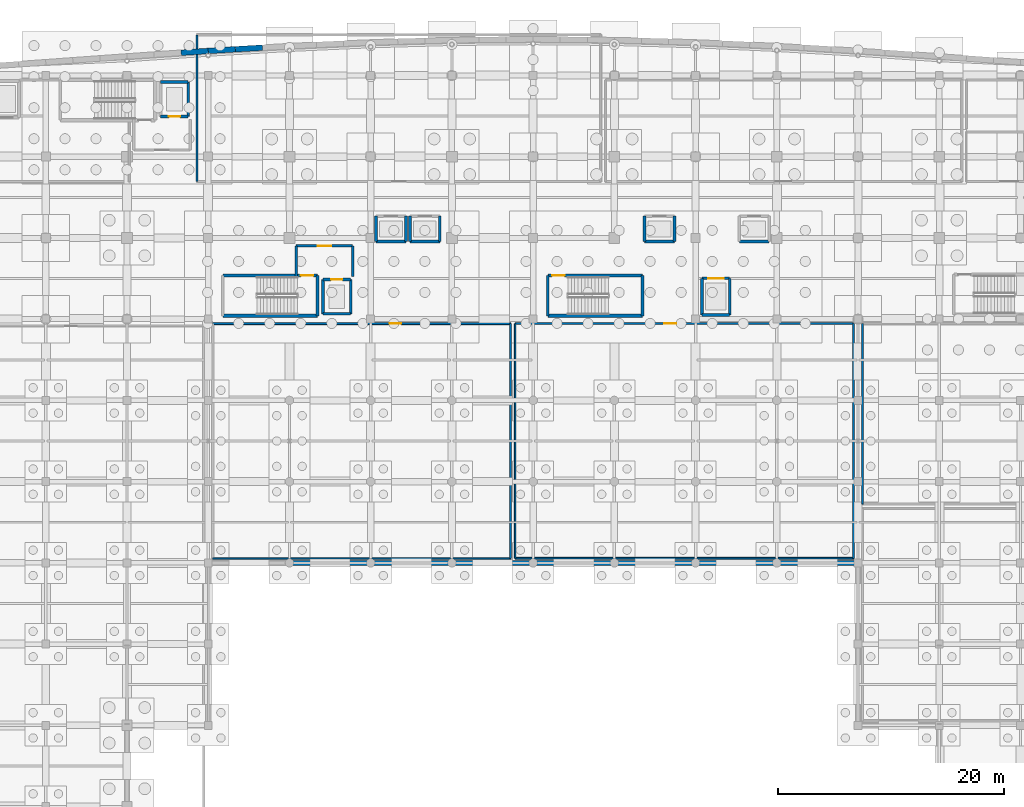
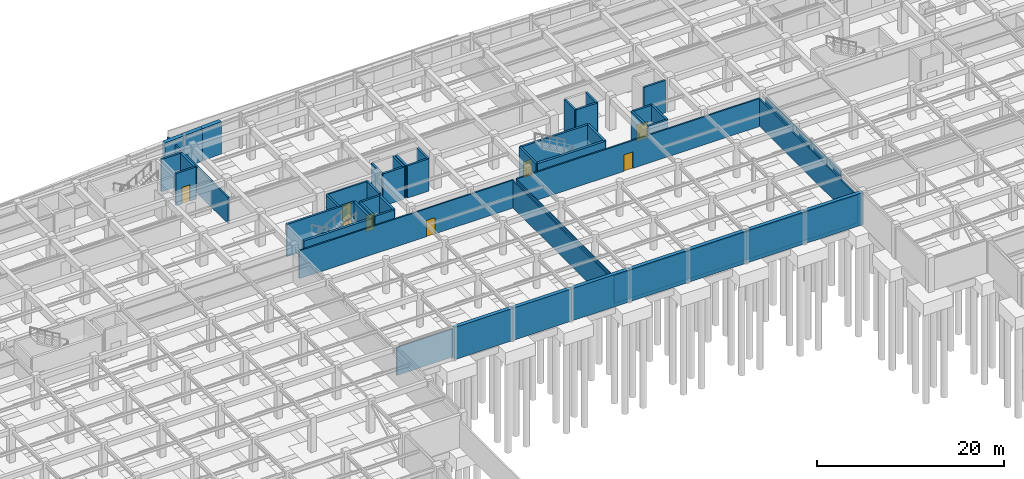
# One storey, part 37 of 48: 50 walls, 8 doors, 8 openings.
"""IFC4 building model written with IfcOpenShell, lengths in metres."""

from ifc_helpers import new_model, si_unit, direction, frame, frame_2d, origin, place, context, subcontext, project, spatial, rectangle, extrude, material, layer, layer_set, type_object, element, fill, save


model = new_model("IFC4")

# Units and contexts
model_context = context("Model", 3, precision=1e-05, world=origin(), true_north=direction((0.0, 1.0)))
body_context = subcontext(model_context, "Body", "Model", "MODEL_VIEW")
ifc_project = project(units=[si_unit("LENGTHUNIT", "METRE"), si_unit("AREAUNIT", "SQUARE_METRE"), si_unit("VOLUMEUNIT", "CUBIC_METRE"), si_unit("PLANEANGLEUNIT", "RADIAN"), si_unit("MASSUNIT", "GRAM", prefix="KILO")], contexts=[model_context])

# Site, building, storey
site_placement = place(None, origin())
site = spatial("IfcSite", under=ifc_project, at=site_placement, CompositionType="ELEMENT")
building_placement = place(site_placement, origin())
building = spatial("IfcBuilding", under=site, at=building_placement, Name="Carrowvane Square Congress Hotel", CompositionType="ELEMENT")
storey_placement = place(building_placement, frame((0.0, 0.0, -4.5)))
storey = spatial("IfcBuildingStorey", under=building, at=storey_placement, Name="B01", CompositionType="ELEMENT", Elevation=-4.5)

# Walls
ifc_material_1 = material(Name="Acoustic gypsum board", Category="gypsum")
ifc_layer_1 = layer(ifc_material_1, 0.155029296875)
ifc_layer_set_1 = layer_set([ifc_layer_1], Name="Acoustic gypsum board")
wall_type_1 = type_object("IfcWallType", Name="WL-FIR-155", PredefinedType="PARTITIONING", material=ifc_layer_set_1)
wall_1_placement = place(storey_placement, frame((96.0, 91.39990234375, 0.0), z_axis=(0.0, 0.0, 1.0), x_axis=(0.0, -1.0, 0.0)))
element("IfcWall", 1, at=wall_1_placement, inside=storey, type_object=wall_type_1, Name="B01 Secure Delegate and Staff Cycle Store partition", PredefinedType="PARTITIONING", context=body_context, shape_type="SweptSolid", body=[
    extrude(rectangle(XDim=20.7998046875, YDim=0.155029296875, at=frame_2d((10.39990234375, 0.0))), origin(), (0.0, 0.0, 1.0), 3.534912109375),
])
wall_2_placement = place(storey_placement, frame((126.39990234375, 70.60009765625, 0.0), z_axis=(0.0, 0.0, 1.0), x_axis=(-1.0, 0.0, 0.0)))
element("IfcWall", 2, at=wall_2_placement, inside=storey, type_object=wall_type_1, Name="B01 Central Hotel Linen and Laundry Hall partition", PredefinedType="PARTITIONING", context=body_context, shape_type="SweptSolid", body=[
    extrude(rectangle(XDim=30.0, YDim=0.155029296875, at=frame_2d((15.0, 0.0))), origin(), (0.0, 0.0, 1.0), 3.648193359375),
])
wall_3_placement = place(storey_placement, frame((127.199951171875, 75.39990234375, 0.0), z_axis=(0.0, 0.0, 1.0), x_axis=(0.0, 1.0, 0.0)))
element("IfcWall", 3, at=wall_3_placement, inside=storey, type_object=wall_type_1, Name="B01 LTHW Boiler and Thermal Storage Plant Room partition", PredefinedType="PARTITIONING", context=body_context, shape_type="SweptSolid", body=[
    extrude(rectangle(XDim=16.0, YDim=0.155029296875, at=frame_2d((8.0, 0.0))), origin(), (0.0, 0.0, 1.0), 3.534912109375),
])

# Wall, opening, door
ifc_material_2 = material(Name="Acoustic gypsum board", Category="gypsum")
ifc_layer_2 = layer(ifc_material_2, 0.169921875)
ifc_layer_set_2 = layer_set([ifc_layer_2], Name="Acoustic gypsum board")
wall_type_2 = type_object("IfcWallType", Name="WL-FIR-170", PredefinedType="PARTITIONING", material=ifc_layer_set_2)
wall_4_placement = place(storey_placement, frame((69.60009765625, 91.39990234375, 0.0), z_axis=(0.0, 0.0, 1.0), x_axis=(1.0, 0.0, 0.0)))
wall_4 = element("IfcWall", 4, at=wall_4_placement, inside=storey, type_object=wall_type_2, Name="B01 Secure Delegate and Staff Cycle Store partition", PredefinedType="PARTITIONING", context=body_context, shape_type="SweptSolid", body=[
    extrude(rectangle(XDim=26.39990234375, YDim=0.169921875, at=frame_2d((13.199951171875, 0.0))), origin(), (0.0, 0.0, 1.0), 3.648193359375),
])
opening_1_placement = place(wall_4_placement, frame((15.679931640625, 0.0, 0.0)))
opening_1 = element("IfcOpeningElement", 5, at=opening_1_placement, cuts=wall_4, Name="Opening ID-07", PredefinedType="OPENING", context=body_context, shape_type="SweptSolid", body=[
    extrude(rectangle(XDim=1.0400390625, YDim=2.1201171875, at=frame_2d((0.52001953125, 1.06005859375))), frame((0.0, 0.094970703125, 0.0), z_axis=(0.0, -1.0, 0.0), x_axis=(1.0, 0.0, 0.0)), (0.0, 0.0, 1.0), 0.18994140625),
])
ifc_material_3 = material(Name="European oak timber", Category="wood")
door_type_1 = type_object("IfcDoorType", Name="DR-INT-1040x2120", OperationType="NOTDEFINED", PredefinedType="DOOR", material=ifc_material_3)
door_1_placement = place(opening_1_placement, origin())
door_1 = element("IfcDoor", 6, at=door_1_placement, inside=storey, type_object=door_type_1, Name="B01 Secure Delegate and Staff Cycle Store entrance door", OperationType="SINGLE_SWING_LEFT", OverallHeight=2.1201171875, OverallWidth=1.0400390625, PredefinedType="DOOR", context=body_context, shape_type="SweptSolid", body=[
    extrude(rectangle(XDim=1.0400390625, YDim=2.1201171875, at=frame_2d((0.52001953125, 1.06005859375))), frame((0.0, 0.02490234375, 0.0), z_axis=(0.0, -1.0, 0.0), x_axis=(1.0, 0.0, 0.0)), (0.0, 0.0, 1.0), 0.050048828125),
])
fill(opening_1, door_1)

# Wall
wall_5_placement = place(storey_placement, frame((126.39990234375, 91.39990234375, 0.0), z_axis=(0.0, 0.0, 1.0), x_axis=(0.0, -1.0, 0.0)))
element("IfcWall", 7, at=wall_5_placement, inside=storey, type_object=wall_type_2, Name="B01 Central Hotel Linen and Laundry Hall partition", PredefinedType="PARTITIONING", context=body_context, shape_type="SweptSolid", body=[
    extrude(rectangle(XDim=20.7998046875, YDim=0.169921875, at=frame_2d((10.39990234375, 0.0))), origin(), (0.0, 0.0, 1.0), 3.534912109375),
])

# Wall, opening, door
ifc_material_4 = material(Name="Acoustic gypsum board", Category="gypsum")
ifc_layer_3 = layer(ifc_material_4, 0.18505859375)
ifc_layer_set_3 = layer_set([ifc_layer_3], Name="Acoustic gypsum board")
wall_type_3 = type_object("IfcWallType", Name="WL-FIR-185", PredefinedType="PARTITIONING", material=ifc_layer_set_3)
wall_6_placement = place(storey_placement, frame((96.39990234375, 91.39990234375, 0.0), z_axis=(0.0, 0.0, 1.0), x_axis=(1.0, 0.0, 0.0)))
wall_6 = element("IfcWall", 8, at=wall_6_placement, inside=storey, type_object=wall_type_3, Name="B01 Central Hotel Linen and Laundry Hall partition", PredefinedType="PARTITIONING", context=body_context, shape_type="SweptSolid", body=[
    extrude(rectangle(XDim=30.0, YDim=0.18505859375, at=frame_2d((15.0, 0.0))), origin(), (0.0, 0.0, 1.0), 3.648193359375),
])
opening_2_placement = place(wall_6_placement, frame((13.2099609375, 0.0, 0.0)))
opening_2 = element("IfcOpeningElement", 9, at=opening_2_placement, cuts=wall_6, Name="Opening ID-08", PredefinedType="OPENING", context=body_context, shape_type="SweptSolid", body=[
    extrude(rectangle(XDim=1.080078125, YDim=2.14990234375, at=frame_2d((0.5400390625, 1.074951171875))), frame((0.0, 0.1025390625, 0.0), z_axis=(0.0, -1.0, 0.0), x_axis=(1.0, 0.0, 0.0)), (0.0, 0.0, 1.0), 0.205078125),
])
ifc_material_5 = material(Name="European oak timber", Category="wood")
door_type_2 = type_object("IfcDoorType", Name="DR-INT-1080x2150", OperationType="NOTDEFINED", PredefinedType="DOOR", material=ifc_material_5)
door_2_placement = place(opening_2_placement, origin())
door_2 = element("IfcDoor", 10, at=door_2_placement, inside=storey, type_object=door_type_2, Name="B01 Central Hotel Linen and Laundry Hall entrance door", OperationType="SINGLE_SWING_RIGHT", OverallHeight=2.14990234375, OverallWidth=1.080078125, PredefinedType="DOOR", context=body_context, shape_type="SweptSolid", body=[
    extrude(rectangle(XDim=1.080078125, YDim=2.14990234375, at=frame_2d((0.5400390625, 1.074951171875))), frame((0.0, 0.02490234375, 0.0), z_axis=(0.0, -1.0, 0.0), x_axis=(1.0, 0.0, 0.0)), (0.0, 0.0, 1.0), 0.050048828125),
])
fill(opening_2, door_2)

# Walls
wall_7_placement = place(storey_placement, frame((68.199951171875, 104.0, 0.0), z_axis=(0.0, 0.0, 1.0), x_axis=(0.0, 1.0, 0.0)))
element("IfcWall", 11, at=wall_7_placement, inside=storey, type_object=wall_type_3, Name="B01 Central Cold Prep and Bonded Store partition", PredefinedType="PARTITIONING", context=body_context, shape_type="SweptSolid", body=[
    extrude(rectangle(XDim=13.0, YDim=0.18505859375, at=frame_2d((6.5, 0.0))), origin(), (0.0, 0.0, 1.0), 3.43505859375),
])
ifc_material_6 = material(Name="Acoustic gypsum board", Category="gypsum")
ifc_layer_4 = layer(ifc_material_6, 0.205078125)
ifc_layer_set_4 = layer_set([ifc_layer_4], Name="Acoustic gypsum board")
wall_type_4 = type_object("IfcWallType", Name="WL-FIR-205", PredefinedType="PARTITIONING", material=ifc_layer_set_4)
wall_8_placement = place(storey_placement, frame((82.0, 95.60009765625, 0.0), z_axis=(0.0, 0.0, 1.0), x_axis=(0.0, 1.0, 0.0)))
element("IfcWall", 12, at=wall_8_placement, inside=storey, type_object=wall_type_4, Name="B01 Firefighting Lobby C2 wall east", PredefinedType="PARTITIONING", context=body_context, shape_type="SweptSolid", body=[
    extrude(rectangle(XDim=2.699951171875, YDim=0.205078125, at=frame_2d((1.35009765625, 0.0))), origin(), (0.0, 0.0, 1.0), 4.199951171875),
])

# Wall, opening, door
wall_9_placement = place(storey_placement, frame((82.0, 98.300048828125, 0.0), z_axis=(0.0, 0.0, 1.0), x_axis=(-1.0, 0.0, 0.0)))
wall_9 = element("IfcWall", 13, at=wall_9_placement, inside=storey, type_object=wall_type_4, Name="B01 Firefighting Lobby C2 wall north", PredefinedType="PARTITIONING", context=body_context, shape_type="SweptSolid", body=[
    extrude(rectangle(XDim=5.0, YDim=0.205078125, at=frame_2d((2.5, 0.0))), origin(), (0.0, 0.0, 1.0), 4.199951171875),
])
opening_3_placement = place(wall_9_placement, frame((1.89990234375, 0.0, 0.0)))
opening_3 = element("IfcOpeningElement", 14, at=opening_3_placement, cuts=wall_9, Name="Opening FD-02", PredefinedType="OPENING", context=body_context, shape_type="SweptSolid", body=[
    extrude(rectangle(XDim=1.199951171875, YDim=2.10009765625, at=frame_2d((0.60009765625, 1.050048828125))), frame((0.0, 0.112548828125, 0.0), z_axis=(0.0, -1.0, 0.0), x_axis=(1.0, 0.0, 0.0)), (0.0, 0.0, 1.0), 0.22509765625),
])
ifc_material_7 = material(Name="European oak timber", Category="wood")
door_type_3 = type_object("IfcDoorType", Name="DR-FD60-1200x2100", OperationType="NOTDEFINED", PredefinedType="DOOR", material=ifc_material_7)
door_3_placement = place(opening_3_placement, origin())
door_3 = element("IfcDoor", 15, at=door_3_placement, inside=storey, type_object=door_type_3, Name="B01 Firefighting Lobby C2 entrance door", OperationType="SINGLE_SWING_LEFT", OverallHeight=2.10009765625, OverallWidth=1.199951171875, PredefinedType="DOOR", context=body_context, shape_type="SweptSolid", body=[
    extrude(rectangle(XDim=1.199951171875, YDim=2.10009765625, at=frame_2d((0.60009765625, 1.050048828125))), frame((0.0, 0.02490234375, 0.0), z_axis=(0.0, -1.0, 0.0), x_axis=(1.0, 0.0, 0.0)), (0.0, 0.0, 1.0), 0.050048828125),
])
fill(opening_3, door_3)

# Walls
wall_10_placement = place(storey_placement, frame((77.0, 98.300048828125, 0.0), z_axis=(0.0, 0.0, 1.0), x_axis=(0.0, -1.0, 0.0)))
element("IfcWall", 16, at=wall_10_placement, inside=storey, type_object=wall_type_4, Name="B01 Firefighting Lobby C2 wall west", PredefinedType="PARTITIONING", context=body_context, shape_type="SweptSolid", body=[
    extrude(rectangle(XDim=2.699951171875, YDim=0.205078125, at=frame_2d((1.35009765625, 0.0))), origin(), (0.0, 0.0, 1.0), 4.199951171875),
])
ifc_material_8 = material(Name="Acoustic gypsum board", Category="gypsum")
ifc_layer_5 = layer(ifc_material_8, 0.137939453125)
ifc_layer_set_5 = layer_set([ifc_layer_5], Name="Acoustic gypsum board")
wall_type_5 = type_object("IfcWallType", Name="WL-PRT-138", PredefinedType="PARTITIONING", material=ifc_layer_set_5)
wall_11_placement = place(storey_placement, frame((96.39990234375, 70.60009765625, 0.0), z_axis=(0.0, 0.0, 1.0), x_axis=(0.0, 1.0, 0.0)))
element("IfcWall", 17, at=wall_11_placement, inside=storey, type_object=wall_type_5, Name="B01 Central Hotel Linen and Laundry Hall partition", PredefinedType="PARTITIONING", context=body_context, shape_type="SweptSolid", body=[
    extrude(rectangle(XDim=20.7998046875, YDim=0.137939453125, at=frame_2d((10.39990234375, 0.0))), origin(), (0.0, 0.0, 1.0), 3.534912109375),
])
ifc_material_9 = material(Name="Acoustic gypsum board", Category="gypsum")
ifc_layer_6 = layer(ifc_material_9, 0.14794921875)
ifc_layer_set_6 = layer_set([ifc_layer_6], Name="Acoustic gypsum board")
wall_type_6 = type_object("IfcWallType", Name="WL-PRT-148", PredefinedType="PARTITIONING", material=ifc_layer_set_6)
wall_12_placement = place(storey_placement, frame((96.0, 70.60009765625, 0.0), z_axis=(0.0, 0.0, 1.0), x_axis=(-1.0, 0.0, 0.0)))
element("IfcWall", 18, at=wall_12_placement, inside=storey, type_object=wall_type_6, Name="B01 Secure Delegate and Staff Cycle Store partition", PredefinedType="PARTITIONING", context=body_context, shape_type="SweptSolid", body=[
    extrude(rectangle(XDim=26.39990234375, YDim=0.14794921875, at=frame_2d((13.199951171875, 0.0))), origin(), (0.0, 0.0, 1.0), 3.648193359375),
])
ifc_material_10 = material(Name="Concrete C35/45", Category="concrete")
ifc_layer_7 = layer(ifc_material_10, 0.449951171875)
ifc_layer_set_7 = layer_set([ifc_layer_7], Name="Concrete C35/45")
wall_type_7 = type_object("IfcWallType", Name="WL-RET-450", PredefinedType="SOLIDWALL", material=ifc_layer_set_7)
wall_13_placement = place(storey_placement, frame((126.800048828125, 70.199951171875, 0.0), z_axis=(0.0, 0.0, 1.0), x_axis=(-1.0, 0.0, 0.0)))
element("IfcWall", 19, at=wall_13_placement, inside=storey, type_object=wall_type_7, Name="B01 perimeter retaining wall 108", PredefinedType="SOLIDWALL", context=body_context, shape_type="SweptSolid", body=[
    extrude(rectangle(XDim=7.199951171875, YDim=0.449951171875, at=frame_2d((3.60009765625, 0.0))), origin(), (0.0, 0.0, 1.0), 4.199951171875),
])
wall_14_placement = place(storey_placement, frame((119.60009765625, 70.199951171875, 0.0), z_axis=(0.0, 0.0, 1.0), x_axis=(-1.0, 0.0, 0.0)))
element("IfcWall", 20, at=wall_14_placement, inside=storey, type_object=wall_type_7, Name="B01 perimeter retaining wall 109", PredefinedType="SOLIDWALL", context=body_context, shape_type="SweptSolid", body=[
    extrude(rectangle(XDim=7.2001953125, YDim=0.449951171875, at=frame_2d((3.60009765625, 0.0))), origin(), (0.0, 0.0, 1.0), 4.199951171875),
])
for number, where, z_axis, x_axis, name in (
    (21, (112.39990234375, 70.199951171875, 0.0), (0.0, 0.0, 1.0), (-1.0, 0.0, 0.0), "B01 perimeter retaining wall 110"),
    (22, (105.199951171875, 70.199951171875, 0.0), (0.0, 0.0, 1.0), (-1.0, 0.0, 0.0), "B01 perimeter retaining wall 111"),
    (23, (98.0, 70.199951171875, 0.0), (0.0, 0.0, 1.0), (-1.0, 0.0, 0.0), "B01 perimeter retaining wall 112"),
    (24, (90.800048828125, 70.199951171875, 0.0), (0.0, 0.0, 1.0), (-1.0, 0.0, 0.0), "B01 perimeter retaining wall 113"),
):
    element("IfcWall", number, at=place(storey_placement, frame(where, z_axis=z_axis, x_axis=x_axis)), inside=storey, type_object=wall_type_7, Name=name, PredefinedType="SOLIDWALL", context=body_context, shape_type="SweptSolid", body=[
        extrude(rectangle(XDim=7.199951171875, YDim=0.449951171875, at=frame_2d((3.60009765625, 0.0))), origin(), (0.0, 0.0, 1.0), 4.199951171875),
    ])
wall_15_placement = place(storey_placement, frame((83.60009765625, 70.199951171875, 0.0), z_axis=(0.0, 0.0, 1.0), x_axis=(-1.0, 0.0, 0.0)))
element("IfcWall", 25, at=wall_15_placement, inside=storey, type_object=wall_type_7, Name="B01 perimeter retaining wall 114", PredefinedType="SOLIDWALL", context=body_context, shape_type="SweptSolid", body=[
    extrude(rectangle(XDim=7.2001953125, YDim=0.449951171875, at=frame_2d((3.60009765625, 0.0))), origin(), (0.0, 0.0, 1.0), 4.199951171875),
])
ifc_material_11 = material(Name="Concrete C35/45", Category="concrete")
ifc_layer_8 = layer(ifc_material_11, 0.5)
ifc_layer_set_8 = layer_set([ifc_layer_8], Name="Concrete C35/45")
wall_type_8 = type_object("IfcWallType", Name="WL-RET-500", PredefinedType="SOLIDWALL", material=ifc_layer_set_8)
wall_16_placement = place(storey_placement, frame((66.800048828125, 115.4169921875, 0.0), z_axis=(0.0, 0.0, 1.0), x_axis=(0.99786085888, 0.065373590348, 0.0)))
element("IfcWall", 26, at=wall_16_placement, inside=storey, type_object=wall_type_8, Name="B01 perimeter retaining wall 33", PredefinedType="SOLIDWALL", context=body_context, shape_type="SweptSolid", body=[
    extrude(rectangle(XDim=2.405029296875, YDim=0.5, at=frame_2d((1.20263671875, 0.0))), origin(), (0.0, 0.0, 1.0), 4.199951171875),
])
wall_17_placement = place(storey_placement, frame((69.199951171875, 115.57421875, 0.0), z_axis=(0.0, 0.0, 1.0), x_axis=(0.998049021666, 0.062435169192, 0.0)))
element("IfcWall", 27, at=wall_17_placement, inside=storey, type_object=wall_type_8, Name="B01 perimeter retaining wall 34", PredefinedType="SOLIDWALL", context=body_context, shape_type="SweptSolid", body=[
    extrude(rectangle(XDim=2.40478515625, YDim=0.5, at=frame_2d((1.202392578125, 0.0))), origin(), (0.0, 0.0, 1.0), 4.199951171875),
])
wall_18_placement = place(storey_placement, frame((71.60009765625, 115.724365234375, 0.0), z_axis=(0.0, 0.0, 1.0), x_axis=(0.998269817782, 0.058799412461, 0.0)))
element("IfcWall", 28, at=wall_18_placement, inside=storey, type_object=wall_type_8, Name="B01 perimeter retaining wall 35", PredefinedType="SOLIDWALL", context=body_context, shape_type="SweptSolid", body=[
    extrude(rectangle(XDim=2.404052734375, YDim=0.5, at=frame_2d((1.2021484375, 0.0))), origin(), (0.0, 0.0, 1.0), 4.199951171875),
])
ifc_material_12 = material(Name="Concrete C40/50", Category="concrete")
ifc_layer_9 = layer(ifc_material_12, 0.22509765625)
ifc_layer_set_9 = layer_set([ifc_layer_9], Name="Concrete C40/50")
wall_type_9 = type_object("IfcWallType", Name="WL-SHR-225", PredefinedType="SHEAR", material=ifc_layer_set_9)
wall_19_placement = place(storey_placement, frame((99.300048828125, 95.659912109375, 0.0), z_axis=(0.0, 0.0, 1.0), x_axis=(0.0, -1.0, 0.0)))
element("IfcWall", 29, at=wall_19_placement, inside=storey, type_object=wall_type_9, Name="B01 ST3 core wall west", PredefinedType="SHEAR", context=body_context, shape_type="SweptSolid", body=[
    extrude(rectangle(XDim=3.559814453125, YDim=0.22509765625, at=frame_2d((1.77978515625, 0.0))), origin(), (0.0, 0.0, 1.0), 4.199951171875),
])

# Wall, opening, door
ifc_material_13 = material(Name="Concrete C40/50", Category="concrete")
ifc_layer_10 = layer(ifc_material_13, 0.25)
ifc_layer_set_10 = layer_set([ifc_layer_10], Name="Concrete C40/50")
wall_type_10 = type_object("IfcWallType", Name="WL-SHR-250", PredefinedType="SHEAR", material=ifc_layer_set_10)
wall_20_placement = place(storey_placement, frame((78.89990234375, 95.659912109375, 0.0), z_axis=(0.0, 0.0, 1.0), x_axis=(-1.0, 0.0, 0.0)))
wall_20 = element("IfcWall", 30, at=wall_20_placement, inside=storey, type_object=wall_type_10, Name="B01 ST2 core wall north", PredefinedType="SHEAR", context=body_context, shape_type="SweptSolid", body=[
    extrude(rectangle(XDim=8.39990234375, YDim=0.25, at=frame_2d((4.199951171875, 0.0))), origin(), (0.0, 0.0, 1.0), 4.199951171875),
])
opening_4_placement = place(wall_20_placement, frame((0.389892578125, 0.0, 0.0)))
opening_4 = element("IfcOpeningElement", 31, at=opening_4_placement, cuts=wall_20, Name="Opening FD-01", PredefinedType="OPENING", context=body_context, shape_type="SweptSolid", body=[
    extrude(rectangle(XDim=1.10009765625, YDim=2.10009765625, at=frame_2d((0.550048828125, 1.050048828125))), frame((0.0, 0.135009765625, 0.0), z_axis=(0.0, -1.0, 0.0), x_axis=(1.0, 0.0, 0.0)), (0.0, 0.0, 1.0), 0.27001953125),
])
ifc_material_14 = material(Name="European oak timber", Category="wood")
door_type_4 = type_object("IfcDoorType", Name="DR-FD60-1100x2100", OperationType="NOTDEFINED", PredefinedType="DOOR", material=ifc_material_14)
door_4_placement = place(opening_4_placement, origin())
door_4 = element("IfcDoor", 32, at=door_4_placement, inside=storey, type_object=door_type_4, Name="B01 ST2 fire door", OperationType="SINGLE_SWING_RIGHT", OverallHeight=2.10009765625, OverallWidth=1.10009765625, PredefinedType="DOOR", context=body_context, shape_type="SweptSolid", body=[
    extrude(rectangle(XDim=1.10009765625, YDim=2.10009765625, at=frame_2d((0.550048828125, 1.050048828125))), frame((0.0, 0.02490234375, 0.0), z_axis=(0.0, -1.0, 0.0), x_axis=(1.0, 0.0, 0.0)), (0.0, 0.0, 1.0), 0.050048828125),
])
fill(opening_4, door_4)

wall_21_placement = place(storey_placement, frame((107.699951171875, 95.659912109375, 0.0), z_axis=(0.0, 0.0, 1.0), x_axis=(-1.0, 0.0, 0.0)))
wall_21 = element("IfcWall", 33, at=wall_21_placement, inside=storey, type_object=wall_type_10, Name="B01 ST3 core wall north", PredefinedType="SHEAR", context=body_context, shape_type="SweptSolid", body=[
    extrude(rectangle(XDim=8.39990234375, YDim=0.25, at=frame_2d((4.199951171875, 0.0))), origin(), (0.0, 0.0, 1.0), 4.199951171875),
])
opening_5_placement = place(wall_21_placement, frame((6.909912109375, 0.0, 0.0)))
opening_5 = element("IfcOpeningElement", 34, at=opening_5_placement, cuts=wall_21, Name="Opening FD-01", PredefinedType="OPENING", context=body_context, shape_type="SweptSolid", body=[
    extrude(rectangle(XDim=1.10009765625, YDim=2.10009765625, at=frame_2d((0.550048828125, 1.050048828125))), frame((0.0, 0.135009765625, 0.0), z_axis=(0.0, -1.0, 0.0), x_axis=(1.0, 0.0, 0.0)), (0.0, 0.0, 1.0), 0.27001953125),
])
door_5_placement = place(opening_5_placement, origin())
door_5 = element("IfcDoor", 35, at=door_5_placement, inside=storey, type_object=door_type_4, Name="B01 ST3 fire door", OperationType="SINGLE_SWING_LEFT", OverallHeight=2.10009765625, OverallWidth=1.10009765625, PredefinedType="DOOR", context=body_context, shape_type="SweptSolid", body=[
    extrude(rectangle(XDim=1.10009765625, YDim=2.10009765625, at=frame_2d((0.550048828125, 1.050048828125))), frame((0.0, 0.02490234375, 0.0), z_axis=(0.0, -1.0, 0.0), x_axis=(1.0, 0.0, 0.0)), (0.0, 0.0, 1.0), 0.050048828125),
])
fill(opening_5, door_5)

wall_22_placement = place(storey_placement, frame((64.97509765625, 109.77490234375, 0.0), z_axis=(0.0, 0.0, 1.0), x_axis=(1.0, 0.0, 0.0)))
wall_22 = element("IfcWall", 36, at=wall_22_placement, inside=storey, type_object=wall_type_10, Name="B01 FFL-1 shaft wall south", PredefinedType="SHEAR", context=body_context, shape_type="SweptSolid", body=[
    extrude(rectangle(XDim=2.449951171875, YDim=0.25, at=frame_2d((1.22509765625, 0.0))), origin(), (0.0, 0.0, 1.0), 4.199951171875),
])
opening_6_placement = place(wall_22_placement, frame((0.72509765625, 0.0, 0.0)))
opening_6 = element("IfcOpeningElement", 37, at=opening_6_placement, cuts=wall_22, Name="Opening LD-FFL-1", PredefinedType="OPENING", context=body_context, shape_type="SweptSolid", body=[
    extrude(rectangle(XDim=1.0, YDim=2.14990234375, at=frame_2d((0.5, 1.074951171875))), frame((0.0, 0.135009765625, 0.0), z_axis=(0.0, -1.0, 0.0), x_axis=(1.0, 0.0, 0.0)), (0.0, 0.0, 1.0), 0.27001953125),
])
ifc_material_15 = material(Name="Stainless steel 316", Category="steel")
door_type_5 = type_object("IfcDoorType", Name="DR-LD-1000x2150", OperationType="DOUBLE_DOOR_SLIDING", PredefinedType="DOOR", material=ifc_material_15)
door_6_placement = place(opening_6_placement, origin())
door_6 = element("IfcDoor", 38, at=door_6_placement, inside=storey, type_object=door_type_5, Name="B01 FFL-1 sliding lift landing door", OperationType="DOUBLE_DOOR_SLIDING", OverallHeight=2.14990234375, OverallWidth=1.0, PredefinedType="DOOR", context=body_context, shape_type="SweptSolid", body=[
    extrude(rectangle(XDim=1.0, YDim=2.14990234375, at=frame_2d((0.5, 1.074951171875))), frame((0.0, 0.02490234375, 0.0), z_axis=(0.0, -1.0, 0.0), x_axis=(1.0, 0.0, 0.0)), (0.0, 0.0, 1.0), 0.050048828125),
])
fill(opening_6, door_6)

# Walls
wall_23_placement = place(storey_placement, frame((67.425048828125, 109.77490234375, 0.0), z_axis=(0.0, 0.0, 1.0), x_axis=(0.0, 1.0, 0.0)))
element("IfcWall", 39, at=wall_23_placement, inside=storey, type_object=wall_type_10, Name="B01 FFL-1 shaft wall east", PredefinedType="SHEAR", context=body_context, shape_type="SweptSolid", body=[
    extrude(rectangle(XDim=3.050048828125, YDim=0.25, at=frame_2d((1.52490234375, 0.0))), origin(), (0.0, 0.0, 1.0), 4.199951171875),
])
for number, where, z_axis, x_axis, name in (
    (40, (67.425048828125, 112.824951171875, 0.0), (0.0, 0.0, 1.0), (-1.0, 0.0, 0.0), "B01 FFL-1 shaft wall north"),
    (41, (79.375, 92.27490234375, 0.0), (0.0, 0.0, 1.0), (1.0, 0.0, 0.0), "B01 FFL-2 shaft wall south"),
):
    element("IfcWall", number, at=place(storey_placement, frame(where, z_axis=z_axis, x_axis=x_axis)), inside=storey, type_object=wall_type_10, Name=name, PredefinedType="SHEAR", context=body_context, shape_type="SweptSolid", body=[
        extrude(rectangle(XDim=2.449951171875, YDim=0.25, at=frame_2d((1.22509765625, 0.0))), origin(), (0.0, 0.0, 1.0), 4.199951171875),
    ])
wall_24_placement = place(storey_placement, frame((81.824951171875, 92.27490234375, 0.0), z_axis=(0.0, 0.0, 1.0), x_axis=(0.0, 1.0, 0.0)))
element("IfcWall", 42, at=wall_24_placement, inside=storey, type_object=wall_type_10, Name="B01 FFL-2 shaft wall east", PredefinedType="SHEAR", context=body_context, shape_type="SweptSolid", body=[
    extrude(rectangle(XDim=3.050048828125, YDim=0.25, at=frame_2d((1.52490234375, 0.0))), origin(), (0.0, 0.0, 1.0), 4.199951171875),
])

# Wall, opening, door
wall_25_placement = place(storey_placement, frame((81.824951171875, 95.324951171875, 0.0), z_axis=(0.0, 0.0, 1.0), x_axis=(-1.0, 0.0, 0.0)))
wall_25 = element("IfcWall", 43, at=wall_25_placement, inside=storey, type_object=wall_type_10, Name="B01 FFL-2 shaft wall north", PredefinedType="SHEAR", context=body_context, shape_type="SweptSolid", body=[
    extrude(rectangle(XDim=2.449951171875, YDim=0.25, at=frame_2d((1.22509765625, 0.0))), origin(), (0.0, 0.0, 1.0), 4.199951171875),
])
opening_7_placement = place(wall_25_placement, frame((0.72509765625, 0.0, 0.0)))
opening_7 = element("IfcOpeningElement", 44, at=opening_7_placement, cuts=wall_25, Name="Opening LD-FFL-2", PredefinedType="OPENING", context=body_context, shape_type="SweptSolid", body=[
    extrude(rectangle(XDim=1.0, YDim=2.14990234375, at=frame_2d((0.5, 1.074951171875))), frame((0.0, 0.135009765625, 0.0), z_axis=(0.0, -1.0, 0.0), x_axis=(1.0, 0.0, 0.0)), (0.0, 0.0, 1.0), 0.27001953125),
])
door_7_placement = place(opening_7_placement, origin())
door_7 = element("IfcDoor", 45, at=door_7_placement, inside=storey, type_object=door_type_5, Name="B01 FFL-2 sliding lift landing door", OperationType="DOUBLE_DOOR_SLIDING", OverallHeight=2.14990234375, OverallWidth=1.0, PredefinedType="DOOR", context=body_context, shape_type="SweptSolid", body=[
    extrude(rectangle(XDim=1.0, YDim=2.14990234375, at=frame_2d((0.5, 1.074951171875))), frame((0.0, 0.02490234375, 0.0), z_axis=(0.0, -1.0, 0.0), x_axis=(1.0, 0.0, 0.0)), (0.0, 0.0, 1.0), 0.050048828125),
])
fill(opening_7, door_7)

# Walls
wall_26_placement = place(storey_placement, frame((79.375, 95.324951171875, 0.0), z_axis=(0.0, 0.0, 1.0), x_axis=(0.0, -1.0, 0.0)))
element("IfcWall", 46, at=wall_26_placement, inside=storey, type_object=wall_type_10, Name="B01 FFL-2 shaft wall west", PredefinedType="SHEAR", context=body_context, shape_type="SweptSolid", body=[
    extrude(rectangle(XDim=3.050048828125, YDim=0.25, at=frame_2d((1.52490234375, 0.0))), origin(), (0.0, 0.0, 1.0), 4.199951171875),
])
wall_27_placement = place(storey_placement, frame((84.074951171875, 98.675048828125, 0.0), z_axis=(0.0, 0.0, 1.0), x_axis=(1.0, 0.0, 0.0)))
element("IfcWall", 47, at=wall_27_placement, inside=storey, type_object=wall_type_10, Name="B01 HL-1 shaft wall south", PredefinedType="SHEAR", context=body_context, shape_type="SweptSolid", body=[
    extrude(rectangle(XDim=2.650146484375, YDim=0.25, at=frame_2d((1.3251953125, 0.0))), origin(), (0.0, 0.0, 1.0), 4.199951171875),
])
for number, where, z_axis, x_axis, name in (
    (48, (86.72509765625, 98.675048828125, 0.0), (0.0, 0.0, 1.0), (0.0, 1.0, 0.0), "B01 HL-1 shaft wall east"),
    (49, (84.074951171875, 100.925048828125, 0.0), (0.0, 0.0, 1.0), (0.0, -1.0, 0.0), "B01 HL-1 shaft wall west"),
):
    element("IfcWall", number, at=place(storey_placement, frame(where, z_axis=z_axis, x_axis=x_axis)), inside=storey, type_object=wall_type_10, Name=name, PredefinedType="SHEAR", context=body_context, shape_type="SweptSolid", body=[
        extrude(rectangle(XDim=2.25, YDim=0.25, at=frame_2d((1.125, 0.0))), origin(), (0.0, 0.0, 1.0), 4.199951171875),
    ])
wall_28_placement = place(storey_placement, frame((87.074951171875, 98.675048828125, 0.0), z_axis=(0.0, 0.0, 1.0), x_axis=(1.0, 0.0, 0.0)))
element("IfcWall", 50, at=wall_28_placement, inside=storey, type_object=wall_type_10, Name="B01 HL-2 shaft wall south", PredefinedType="SHEAR", context=body_context, shape_type="SweptSolid", body=[
    extrude(rectangle(XDim=2.650146484375, YDim=0.25, at=frame_2d((1.3251953125, 0.0))), origin(), (0.0, 0.0, 1.0), 4.199951171875),
])
for number, where, z_axis, x_axis, name in (
    (51, (89.72509765625, 98.675048828125, 0.0), (0.0, 0.0, 1.0), (0.0, 1.0, 0.0), "B01 HL-2 shaft wall east"),
    (52, (87.074951171875, 100.925048828125, 0.0), (0.0, 0.0, 1.0), (0.0, -1.0, 0.0), "B01 HL-2 shaft wall west"),
):
    element("IfcWall", number, at=place(storey_placement, frame(where, z_axis=z_axis, x_axis=x_axis)), inside=storey, type_object=wall_type_10, Name=name, PredefinedType="SHEAR", context=body_context, shape_type="SweptSolid", body=[
        extrude(rectangle(XDim=2.25, YDim=0.25, at=frame_2d((1.125, 0.0))), origin(), (0.0, 0.0, 1.0), 4.199951171875),
    ])
wall_29_placement = place(storey_placement, frame((107.875, 98.675048828125, 0.0), z_axis=(0.0, 0.0, 1.0), x_axis=(1.0, 0.0, 0.0)))
element("IfcWall", 53, at=wall_29_placement, inside=storey, type_object=wall_type_10, Name="B01 HL-3 shaft wall south", PredefinedType="SHEAR", context=body_context, shape_type="SweptSolid", body=[
    extrude(rectangle(XDim=2.64990234375, YDim=0.25, at=frame_2d((1.324951171875, 0.0))), origin(), (0.0, 0.0, 1.0), 4.199951171875),
])
for number, where, z_axis, x_axis, name in (
    (54, (110.52490234375, 98.675048828125, 0.0), (0.0, 0.0, 1.0), (0.0, 1.0, 0.0), "B01 HL-3 shaft wall east"),
    (55, (107.875, 100.925048828125, 0.0), (0.0, 0.0, 1.0), (0.0, -1.0, 0.0), "B01 HL-3 shaft wall west"),
):
    element("IfcWall", number, at=place(storey_placement, frame(where, z_axis=z_axis, x_axis=x_axis)), inside=storey, type_object=wall_type_10, Name=name, PredefinedType="SHEAR", context=body_context, shape_type="SweptSolid", body=[
        extrude(rectangle(XDim=2.25, YDim=0.25, at=frame_2d((1.125, 0.0))), origin(), (0.0, 0.0, 1.0), 4.199951171875),
    ])
wall_30_placement = place(storey_placement, frame((116.27490234375, 98.675048828125, 0.0), z_axis=(0.0, 0.0, 1.0), x_axis=(1.0, 0.0, 0.0)))
element("IfcWall", 56, at=wall_30_placement, inside=storey, type_object=wall_type_10, Name="B01 HL-4 shaft wall south", PredefinedType="SHEAR", context=body_context, shape_type="SweptSolid", body=[
    extrude(rectangle(XDim=2.650146484375, YDim=0.25, at=frame_2d((1.3251953125, 0.0))), origin(), (0.0, 0.0, 1.0), 4.199951171875),
])
wall_31_placement = place(storey_placement, frame((112.97509765625, 92.175048828125, 0.0), z_axis=(0.0, 0.0, 1.0), x_axis=(1.0, 0.0, 0.0)))
element("IfcWall", 57, at=wall_31_placement, inside=storey, type_object=wall_type_10, Name="B01 SL-2 shaft wall south", PredefinedType="SHEAR", context=body_context, shape_type="SweptSolid", body=[
    extrude(rectangle(XDim=2.449951171875, YDim=0.25, at=frame_2d((1.22509765625, 0.0))), origin(), (0.0, 0.0, 1.0), 4.199951171875),
])
wall_32_placement = place(storey_placement, frame((115.425048828125, 92.175048828125, 0.0), z_axis=(0.0, 0.0, 1.0), x_axis=(0.0, 1.0, 0.0)))
element("IfcWall", 58, at=wall_32_placement, inside=storey, type_object=wall_type_10, Name="B01 SL-2 shaft wall east", PredefinedType="SHEAR", context=body_context, shape_type="SweptSolid", body=[
    extrude(rectangle(XDim=3.25, YDim=0.25, at=frame_2d((1.625, 0.0))), origin(), (0.0, 0.0, 1.0), 4.199951171875),
])

# Wall, opening, door
wall_33_placement = place(storey_placement, frame((115.425048828125, 95.425048828125, 0.0), z_axis=(0.0, 0.0, 1.0), x_axis=(-1.0, 0.0, 0.0)))
wall_33 = element("IfcWall", 59, at=wall_33_placement, inside=storey, type_object=wall_type_10, Name="B01 SL-2 shaft wall north", PredefinedType="SHEAR", context=body_context, shape_type="SweptSolid", body=[
    extrude(rectangle(XDim=2.449951171875, YDim=0.25, at=frame_2d((1.22509765625, 0.0))), origin(), (0.0, 0.0, 1.0), 4.199951171875),
])
opening_8_placement = place(wall_33_placement, frame((0.550048828125, 0.0, 0.0)))
opening_8 = element("IfcOpeningElement", 60, at=opening_8_placement, cuts=wall_33, Name="Opening LD-SL-2", PredefinedType="OPENING", context=body_context, shape_type="SweptSolid", body=[
    extrude(rectangle(XDim=1.35009765625, YDim=2.199951171875, at=frame_2d((0.675048828125, 1.10009765625))), frame((0.0, 0.135009765625, 0.0), z_axis=(0.0, -1.0, 0.0), x_axis=(1.0, 0.0, 0.0)), (0.0, 0.0, 1.0), 0.27001953125),
])
ifc_material_16 = material(Name="Stainless steel 316", Category="steel")
door_type_6 = type_object("IfcDoorType", Name="DR-LD-1350x2200", OperationType="DOUBLE_DOOR_SLIDING", PredefinedType="DOOR", material=ifc_material_16)
door_8_placement = place(opening_8_placement, origin())
door_8 = element("IfcDoor", 61, at=door_8_placement, inside=storey, type_object=door_type_6, Name="B01 SL-2 sliding lift landing door", OperationType="DOUBLE_DOOR_SLIDING", OverallHeight=2.199951171875, OverallWidth=1.35009765625, PredefinedType="DOOR", context=body_context, shape_type="SweptSolid", body=[
    extrude(rectangle(XDim=1.35009765625, YDim=2.199951171875, at=frame_2d((0.675048828125, 1.10009765625))), frame((0.0, 0.02490234375, 0.0), z_axis=(0.0, -1.0, 0.0), x_axis=(1.0, 0.0, 0.0)), (0.0, 0.0, 1.0), 0.050048828125),
])
fill(opening_8, door_8)

# Walls
wall_34_placement = place(storey_placement, frame((112.97509765625, 95.425048828125, 0.0), z_axis=(0.0, 0.0, 1.0), x_axis=(0.0, -1.0, 0.0)))
element("IfcWall", 62, at=wall_34_placement, inside=storey, type_object=wall_type_10, Name="B01 SL-2 shaft wall west", PredefinedType="SHEAR", context=body_context, shape_type="SweptSolid", body=[
    extrude(rectangle(XDim=3.25, YDim=0.25, at=frame_2d((1.625, 0.0))), origin(), (0.0, 0.0, 1.0), 4.199951171875),
])
ifc_material_17 = material(Name="Concrete C40/50", Category="concrete")
ifc_layer_11 = layer(ifc_material_17, 0.27490234375)
ifc_layer_set_11 = layer_set([ifc_layer_11], Name="Concrete C40/50")
wall_type_11 = type_object("IfcWallType", Name="WL-SHR-275", PredefinedType="SHEAR", material=ifc_layer_set_11)
for number, where, z_axis, x_axis, name in (
    (63, (78.89990234375, 92.10009765625, 0.0), (0.0, 0.0, 1.0), (0.0, 1.0, 0.0), "B01 ST2 core wall east"),
    (64, (107.699951171875, 92.10009765625, 0.0), (0.0, 0.0, 1.0), (0.0, 1.0, 0.0), "B01 ST3 core wall east"),
):
    element("IfcWall", number, at=place(storey_placement, frame(where, z_axis=z_axis, x_axis=x_axis)), inside=storey, type_object=wall_type_11, Name=name, PredefinedType="SHEAR", context=body_context, shape_type="SweptSolid", body=[
        extrude(rectangle(XDim=3.559814453125, YDim=0.27490234375, at=frame_2d((1.77978515625, 0.0))), origin(), (0.0, 0.0, 1.0), 4.199951171875),
    ])
ifc_material_18 = material(Name="Concrete C40/50", Category="concrete")
ifc_layer_12 = layer(ifc_material_18, 0.300048828125)
ifc_layer_set_12 = layer_set([ifc_layer_12], Name="Concrete C40/50")
wall_type_12 = type_object("IfcWallType", Name="WL-SHR-300", PredefinedType="SHEAR", material=ifc_layer_set_12)
for number, where, z_axis, x_axis, name in (
    (65, (70.5, 92.10009765625, 0.0), (0.0, 0.0, 1.0), (1.0, 0.0, 0.0), "B01 ST2 core wall south"),
    (66, (99.300048828125, 92.10009765625, 0.0), (0.0, 0.0, 1.0), (1.0, 0.0, 0.0), "B01 ST3 core wall south"),
):
    element("IfcWall", number, at=place(storey_placement, frame(where, z_axis=z_axis, x_axis=x_axis)), inside=storey, type_object=wall_type_12, Name=name, PredefinedType="SHEAR", context=body_context, shape_type="SweptSolid", body=[
        extrude(rectangle(XDim=8.39990234375, YDim=0.300048828125, at=frame_2d((4.199951171875, 0.0))), origin(), (0.0, 0.0, 1.0), 4.199951171875),
    ])

save(model, "model.ifc")
